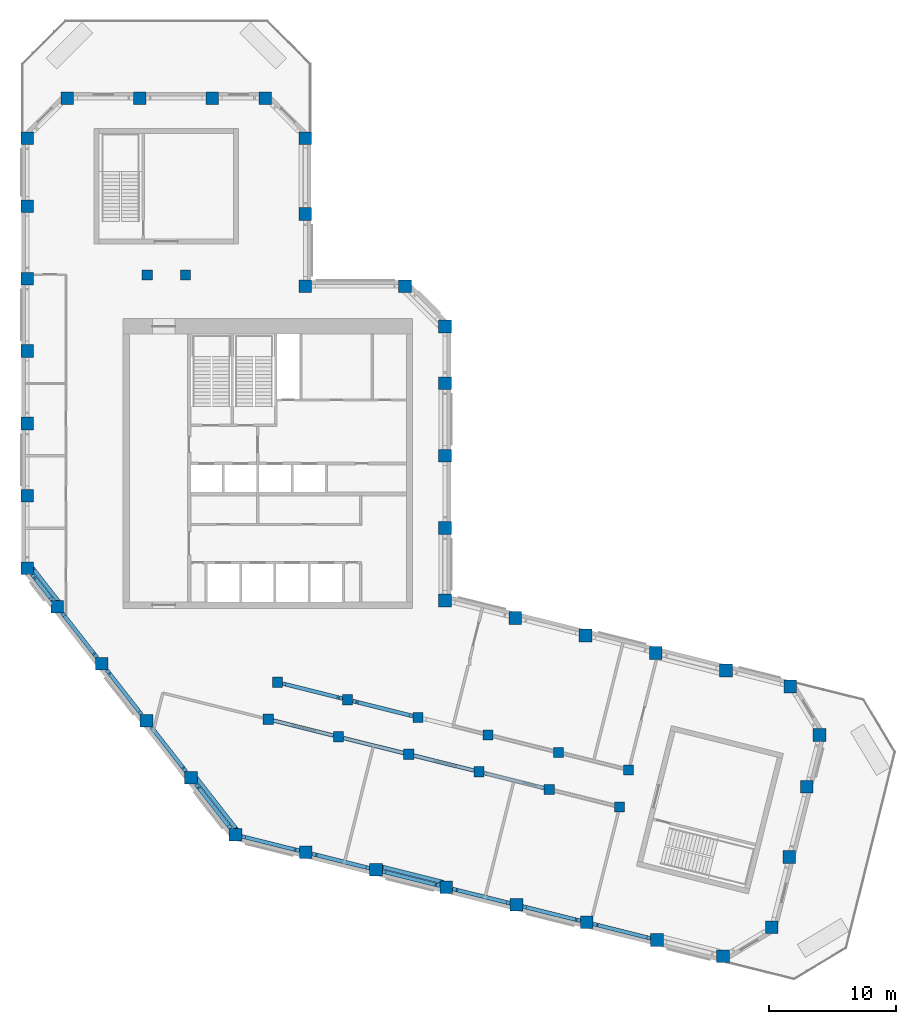
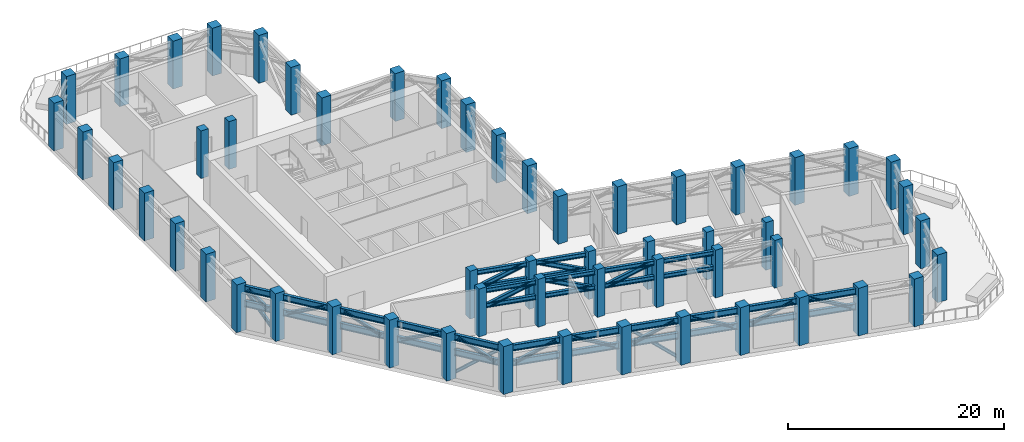
# One storey, part 1 of 8: 55 columns, 34 beams, 19 members.
"""IFC4 building model written with IfcOpenShell, lengths in metres."""

from ifc_helpers import new_model, si_unit, direction, frame, origin, origin_2d, place, context, subcontext, project, spatial, rectangle, i_section, extrude, material, material_profile, profile_set, type_object, element, save


model = new_model("IFC4")

# Units and contexts
model_context = context("Model", 3, precision=1e-05, world=origin(), true_north=direction((0.0, 1.0)))
body_context = subcontext(model_context, "Body", "Model", "MODEL_VIEW")
ifc_project = project(units=[si_unit("LENGTHUNIT", "METRE"), si_unit("AREAUNIT", "SQUARE_METRE"), si_unit("VOLUMEUNIT", "CUBIC_METRE"), si_unit("PLANEANGLEUNIT", "RADIAN"), si_unit("MASSUNIT", "GRAM", prefix="KILO")], contexts=[model_context])

# Site, building, storey
site_placement = place(None, origin())
site = spatial("IfcSite", under=ifc_project, at=site_placement, CompositionType="ELEMENT")
building_placement = place(site_placement, origin())
building = spatial("IfcBuilding", under=site, at=building_placement, Name="Meshkara Civic Tower", CompositionType="ELEMENT")
storey_placement = place(building_placement, frame((0.0, 0.0, 348.60009765625)))
storey = spatial("IfcBuildingStorey", under=building, at=storey_placement, Name="L80", CompositionType="ELEMENT", Elevation=348.60009765625)

# Columns
ifc_material_1 = material(Name="Concrete C60", Category="concrete")
ifc_material_profile_1 = material_profile(ifc_material_1, rectangle(XDim=0.800048828125, YDim=0.800048828125, at=origin_2d()))
ifc_profile_set_1 = profile_set([ifc_material_profile_1], Name="Concrete C60")
column_type_1 = type_object("IfcColumnType", Name="Interior column RC 800x800 C60", PredefinedType="COLUMN", material=ifc_profile_set_1)
for number, where, z_axis, x_axis, name in (
    (1, (9.89990234375, 40.35009765625, 0.0), (0.0, 0.0, 1.0), (1.0, 0.0, 0.0), "Column SA1-04 L80"),
    (2, (12.89990234375, 40.35009765625, 0.0), (0.0, 0.0, 1.0), (1.0, 0.0, 0.0), "Column SA2-04 L80"),
    (3, (19.424072265625, 5.360107421875, 0.0), (0.0, 0.0, 1.0), (1.0, 0.0, 0.0), "Column SB1-00 L80"),
    (4, (24.9541015625, 3.98095703125, 0.0), (0.0, 0.0, 1.0), (1.0, 0.0, 0.0), "Column SB1-01 L80"),
    (5, (30.485107421875, 2.60205078125, 0.0), (0.0, 0.0, 1.0), (1.0, 0.0, 0.0), "Column SB1-02 L80"),
    (6, (36.01611328125, 1.222900390625, 0.0), (0.0, 0.0, 1.0), (1.0, 0.0, 0.0), "Column SB1-03 L80"),
    (7, (41.5458984375, -0.156005859375, 0.0), (0.0, 0.0, 1.0), (1.0, 0.0, 0.0), "Column SB1-04 L80"),
    (8, (47.076904296875, -1.534912109375, 0.0), (0.0, 0.0, 1.0), (1.0, 0.0, 0.0), "Column SB1-05 L80"),
    (9, (20.14892578125, 8.27099609375, 0.0), (0.0, 0.0, 1.0), (1.0, 0.0, 0.0), "Column SB2-00 L80"),
    (10, (25.679931640625, 6.89208984375, 0.0), (0.0, 0.0, 1.0), (1.0, 0.0, 0.0), "Column SB2-01 L80"),
    (11, (31.2109375, 5.512939453125, 0.0), (0.0, 0.0, 1.0), (1.0, 0.0, 0.0), "Column SB2-02 L80"),
    (12, (36.741943359375, 4.134033203125, 0.0), (0.0, 0.0, 1.0), (1.0, 0.0, 0.0), "Column SB2-03 L80"),
    (13, (42.27197265625, 2.7548828125, 0.0), (0.0, 0.0, 1.0), (1.0, 0.0, 0.0), "Column SB2-04 L80"),
    (14, (47.802978515625, 1.3759765625, 0.0), (0.0, 0.0, 1.0), (1.0, 0.0, 0.0), "Column SB2-05 L80"),
):
    element("IfcColumn", number, at=place(storey_placement, frame(where, z_axis=z_axis, x_axis=x_axis)), inside=storey, type_object=column_type_1, Name=name, PredefinedType="COLUMN", context=body_context, shape_type="SweptSolid", body=[
        extrude(rectangle(XDim=0.800048828125, YDim=0.800048828125, at=origin_2d()), origin(), (0.0, 0.0, 1.0), 5.39990234375),
    ])
ifc_material_2 = material(Name="Concrete C60", Category="concrete")
ifc_material_profile_2 = material_profile(ifc_material_2, rectangle(XDim=1.0, YDim=1.0, at=origin_2d()))
ifc_profile_set_2 = profile_set([ifc_material_profile_2], Name="Concrete C60")
column_type_2 = type_object("IfcColumnType", Name="Perimeter column RC 1000x1000 C60", PredefinedType="COLUMN", material=ifc_profile_set_2)
for number, where, z_axis, x_axis, name in (
    (15, (33.35009765625, 14.718994140625, 0.0), (0.0, 0.0, 1.0), (1.0, 0.0, 0.0), "Column HE00 L80"),
    (16, (33.35009765625, 20.4189453125, 0.0), (0.0, 0.0, 1.0), (1.0, 0.0, 0.0), "Column HE01 L80"),
    (17, (33.35009765625, 26.118896484375, 0.0), (0.0, 0.0, 1.0), (1.0, 0.0, 0.0), "Column HE02 L80"),
    (18, (33.35009765625, 31.819091796875, 0.0), (0.0, 0.0, 1.0), (1.0, 0.0, 0.0), "Column HE03 L80"),
    (19, (33.35009765625, 36.2939453125, 0.0), (0.0, 0.0, 1.0), (1.0, 0.0, 0.0), "Column HEE L80"),
    (20, (30.194091796875, 39.449951171875, 0.0), (0.0, 0.0, 1.0), (1.0, 0.0, 0.0), "Column HCeE L80"),
    (21, (22.35009765625, 39.449951171875, 0.0), (0.0, 0.0, 1.0), (1.0, 0.0, 0.0), "Column HN00 L80"),
    (22, (22.35009765625, 45.14990234375, 0.0), (0.0, 0.0, 1.0), (1.0, 0.0, 0.0), "Column AE01 L80"),
    (23, (22.35009765625, 51.114013671875, 0.0), (0.0, 0.0, 1.0), (1.0, 0.0, 0.0), "Column AEEP5 L80"),
    (24, (19.194091796875, 54.27001953125, 0.0), (0.0, 0.0, 1.0), (1.0, 0.0, 0.0), "Column ATiEP5 L80"),
    (25, (3.60595703125, 54.27001953125, 0.0), (0.0, 0.0, 1.0), (1.0, 0.0, 0.0), "Column AT00-P5 L80"),
    (26, (9.305908203125, 54.27001953125, 0.0), (0.0, 0.0, 1.0), (1.0, 0.0, 0.0), "Column AT01-P5 L80"),
    (27, (15.006103515625, 54.27001953125, 0.0), (0.0, 0.0, 1.0), (1.0, 0.0, 0.0), "Column AT02-P5 L80"),
    (28, (0.449951171875, 51.114013671875, 0.0), (0.0, 0.0, 1.0), (1.0, 0.0, 0.0), "Column ATo00-P5 L80"),
    (29, (0.449951171875, 17.2548828125, 0.0), (0.0, 0.0, 1.0), (1.0, 0.0, 0.0), "Column AW00 L80"),
    (30, (0.449951171875, 22.955078125, 0.0), (0.0, 0.0, 1.0), (1.0, 0.0, 0.0), "Column AW01 L80"),
    (31, (0.449951171875, 28.655029296875, 0.0), (0.0, 0.0, 1.0), (1.0, 0.0, 0.0), "Column AW02 L80"),
    (32, (0.449951171875, 34.35498046875, 0.0), (0.0, 0.0, 1.0), (1.0, 0.0, 0.0), "Column AW03 L80"),
    (33, (0.449951171875, 40.054931640625, 0.0), (0.0, 0.0, 1.0), (1.0, 0.0, 0.0), "Column AW04 L80"),
    (34, (0.449951171875, 45.7548828125, 0.0), (0.0, 0.0, 1.0), (1.0, 0.0, 0.0), "Column AW05 L80"),
    (35, (16.85107421875, -3.738037109375, 0.0), (0.0, 0.0, 1.0), (1.0, 0.0, 0.0), "Column BOW00 L80"),
    (36, (13.342041015625, 0.75390625, 0.0), (0.0, 0.0, 1.0), (1.0, 0.0, 0.0), "Column BOW01 L80"),
    (37, (9.8330078125, 5.2451171875, 0.0), (0.0, 0.0, 1.0), (1.0, 0.0, 0.0), "Column BOW02 L80"),
    (38, (6.322998046875, 9.737060546875, 0.0), (0.0, 0.0, 1.0), (1.0, 0.0, 0.0), "Column BOW03 L80"),
    (39, (2.81396484375, 14.22900390625, 0.0), (0.0, 0.0, 1.0), (1.0, 0.0, 0.0), "Column BOW04 L80"),
    (40, (22.382080078125, -5.116943359375, 0.0), (0.0, 0.0, 1.0), (1.0, 0.0, 0.0), "Column BS01 L80"),
    (41, (27.912109375, -6.49609375, 0.0), (0.0, 0.0, 1.0), (1.0, 0.0, 0.0), "Column BS02 L80"),
    (42, (33.443115234375, -7.875, 0.0), (0.0, 0.0, 1.0), (1.0, 0.0, 0.0), "Column BS03 L80"),
    (43, (38.97412109375, -9.25390625, 0.0), (0.0, 0.0, 1.0), (1.0, 0.0, 0.0), "Column BS04 L80"),
    (44, (44.50390625, -10.633056640625, 0.0), (0.0, 0.0, 1.0), (1.0, 0.0, 0.0), "Column BS05-P4 L80"),
    (45, (50.034912109375, -12.011962890625, 0.0), (0.0, 0.0, 1.0), (1.0, 0.0, 0.0), "Column BS06-P4 L80"),
    (46, (55.235107421875, -13.30810546875, 0.0), (0.0, 0.0, 1.0), (1.0, 0.0, 0.0), "Column BSEP5 L80"),
    (47, (59.06103515625, -11.009033203125, 0.0), (0.0, 0.0, 1.0), (1.0, 0.0, 0.0), "Column BToEP5 L80"),
    (48, (60.43994140625, -5.47802734375, 0.0), (0.0, 0.0, 1.0), (1.0, 0.0, 0.0), "Column BT01-P5 L80"),
    (49, (61.819091796875, 0.052001953125, 0.0), (0.0, 0.0, 1.0), (1.0, 0.0, 0.0), "Column BT02-P5 L80"),
    (50, (62.83203125, 4.114990234375, 0.0), (0.0, 0.0, 1.0), (1.0, 0.0, 0.0), "Column BTEP5 L80"),
    (51, (60.532958984375, 7.94091796875, 0.0), (0.0, 0.0, 1.0), (1.0, 0.0, 0.0), "Column BTi00-P5 L80"),
    (52, (38.881103515625, 13.340087890625, 0.0), (0.0, 0.0, 1.0), (1.0, 0.0, 0.0), "Column BN01 L80"),
    (53, (44.410888671875, 11.9609375, 0.0), (0.0, 0.0, 1.0), (1.0, 0.0, 0.0), "Column BN02 L80"),
    (54, (49.94189453125, 10.58203125, 0.0), (0.0, 0.0, 1.0), (1.0, 0.0, 0.0), "Column BN03 L80"),
    (55, (55.472900390625, 9.202880859375, 0.0), (0.0, 0.0, 1.0), (1.0, 0.0, 0.0), "Column BN04 L80"),
):
    element("IfcColumn", number, at=place(storey_placement, frame(where, z_axis=z_axis, x_axis=x_axis)), inside=storey, type_object=column_type_2, Name=name, PredefinedType="COLUMN", context=body_context, shape_type="SweptSolid", body=[
        extrude(rectangle(XDim=1.0, YDim=1.0, at=origin_2d()), origin(), (0.0, 0.0, 1.0), 5.39990234375),
    ])

# Beams
ifc_material_3 = material(Name="Steel S355", Category="steel")
ifc_material_profile_3 = material_profile(ifc_material_3, i_section(OverallWidth=0.300048828125, OverallDepth=0.699951171875, WebThickness=0.01708984375, FlangeThickness=0.031982421875, FilletRadius=0.027099609375, at=origin_2d()))
ifc_profile_set_3 = profile_set([ifc_material_profile_3], Name="Steel S355")
beam_type_1 = type_object("IfcBeamType", Name="Belt truss chord HEB 700 S355", PredefinedType="BEAM", material=ifc_profile_set_3)
for number, where, z_axis, x_axis, name in (
    (56, (0.83740234375, 16.7587890625, 4.75), (0.615713794912, -0.787969874269, 0.0), (0.787969874269, 0.615713794912, 0.0), "Belt truss chord BAW00-BOW04"),
    (57, (0.83740234375, 16.7587890625, 3.0498046875), (0.615713794912, -0.787969874269, 0.0), (0.787969874269, 0.615713794912, 0.0), "Belt truss chord BAW00-BOW04"),
):
    element("IfcBeam", number, at=place(storey_placement, frame(where, z_axis=z_axis, x_axis=x_axis)), inside=storey, type_object=beam_type_1, Name=name, PredefinedType="BEAM", context=body_context, shape_type="SweptSolid", body=[
        extrude(i_section(OverallWidth=0.300048828125, OverallDepth=0.699951171875, WebThickness=0.01708984375, FlangeThickness=0.031982421875, FilletRadius=0.027099609375, at=origin_2d()), origin(), (0.0, 0.0, 1.0), 2.580810546875),
    ])
for number, where, z_axis, x_axis, name in (
    (58, (3.201416015625, 13.73291015625, 4.75), (0.615636574491, -0.788030207637, 0.0), (0.788030207637, 0.615636574491, 0.0), "Belt truss chord BBOW04-BOW03"),
    (59, (3.201416015625, 13.73291015625, 3.0498046875), (0.615636574491, -0.788030207637, 0.0), (0.788030207637, 0.615636574491, 0.0), "Belt truss chord BBOW04-BOW03"),
):
    element("IfcBeam", number, at=place(storey_placement, frame(where, z_axis=z_axis, x_axis=x_axis)), inside=storey, type_object=beam_type_1, Name=name, PredefinedType="BEAM", context=body_context, shape_type="SweptSolid", body=[
        extrude(i_section(OverallWidth=0.300048828125, OverallDepth=0.699951171875, WebThickness=0.01708984375, FlangeThickness=0.031982421875, FilletRadius=0.027099609375, at=origin_2d()), origin(), (0.0, 0.0, 1.0), 4.441162109375),
    ])
for number, where, z_axis, x_axis, name in (
    (60, (6.710693359375, 9.240966796875, 4.75), (0.615704842432, -0.787976869588, 0.0), (0.787976869588, 0.615704842432, 0.0), "Belt truss chord BBOW03-BOW02"),
    (61, (6.710693359375, 9.240966796875, 3.0498046875), (0.615704842432, -0.787976869588, 0.0), (0.787976869588, 0.615704842432, 0.0), "Belt truss chord BBOW03-BOW02"),
):
    element("IfcBeam", number, at=place(storey_placement, frame(where, z_axis=z_axis, x_axis=x_axis)), inside=storey, type_object=beam_type_1, Name=name, PredefinedType="BEAM", context=body_context, shape_type="SweptSolid", body=[
        extrude(i_section(OverallWidth=0.300048828125, OverallDepth=0.699951171875, WebThickness=0.01708984375, FlangeThickness=0.031982421875, FilletRadius=0.027099609375, at=origin_2d()), origin(), (0.0, 0.0, 1.0), 4.44140625),
    ])
for number, where, z_axis, x_axis, name in (
    (62, (10.220703125, 4.748779296875, 4.75), (0.615674985547, -0.788000198078, 0.0), (0.788000198078, 0.615674985547, 0.0), "Belt truss chord BBOW02-BOW01"),
    (63, (10.220703125, 4.748779296875, 3.0498046875), (0.615674985547, -0.788000198078, 0.0), (0.788000198078, 0.615674985547, 0.0), "Belt truss chord BBOW02-BOW01"),
):
    element("IfcBeam", number, at=place(storey_placement, frame(where, z_axis=z_axis, x_axis=x_axis)), inside=storey, type_object=beam_type_1, Name=name, PredefinedType="BEAM", context=body_context, shape_type="SweptSolid", body=[
        extrude(i_section(OverallWidth=0.300048828125, OverallDepth=0.699951171875, WebThickness=0.01708984375, FlangeThickness=0.031982421875, FilletRadius=0.027099609375, at=origin_2d()), origin(), (0.0, 0.0, 1.0), 4.440185546875),
    ])
for number, where, z_axis, x_axis, name in (
    (64, (13.7294921875, 0.2578125, 4.75), (0.615602435322, -0.788056877151, 0.0), (0.788056877151, 0.615602435322, 0.0), "Belt truss chord BBOW01-BOW00"),
    (65, (13.7294921875, 0.2578125, 3.0498046875), (0.615602435322, -0.788056877151, 0.0), (0.788056877151, 0.615602435322, 0.0), "Belt truss chord BBOW01-BOW00"),
):
    element("IfcBeam", number, at=place(storey_placement, frame(where, z_axis=z_axis, x_axis=x_axis)), inside=storey, type_object=beam_type_1, Name=name, PredefinedType="BEAM", context=body_context, shape_type="SweptSolid", body=[
        extrude(i_section(OverallWidth=0.300048828125, OverallDepth=0.699951171875, WebThickness=0.01708984375, FlangeThickness=0.031982421875, FilletRadius=0.027099609375, at=origin_2d()), origin(), (0.0, 0.0, 1.0), 4.44091796875),
    ])
for number, where, z_axis, x_axis, name in (
    (66, (17.34619140625, -3.861572265625, 4.75), (0.970311050729, -0.24186042428, 0.0), (0.24186042428, 0.970311050729, 0.0), "Belt truss chord BBOW00-BS01"),
    (67, (17.34619140625, -3.861572265625, 3.0498046875), (0.970311050729, -0.24186042428, 0.0), (0.24186042428, 0.970311050729, 0.0), "Belt truss chord BBOW00-BS01"),
):
    element("IfcBeam", number, at=place(storey_placement, frame(where, z_axis=z_axis, x_axis=x_axis)), inside=storey, type_object=beam_type_1, Name=name, PredefinedType="BEAM", context=body_context, shape_type="SweptSolid", body=[
        extrude(i_section(OverallWidth=0.300048828125, OverallDepth=0.699951171875, WebThickness=0.01708984375, FlangeThickness=0.031982421875, FilletRadius=0.027099609375, at=origin_2d()), origin(), (0.0, 0.0, 1.0), 4.6796875),
    ])
for number, where, z_axis, x_axis, name in (
    (68, (22.877197265625, -5.240478515625, 4.75), (0.970286590806, -0.241958533023, 0.0), (0.241958533023, 0.970286590806, 0.0), "Belt truss chord BBS01-BS02"),
    (69, (22.877197265625, -5.240478515625, 3.0498046875), (0.970286590806, -0.241958533023, 0.0), (0.241958533023, 0.970286590806, 0.0), "Belt truss chord BBS01-BS02"),
):
    element("IfcBeam", number, at=place(storey_placement, frame(where, z_axis=z_axis, x_axis=x_axis)), inside=storey, type_object=beam_type_1, Name=name, PredefinedType="BEAM", context=body_context, shape_type="SweptSolid", body=[
        extrude(i_section(OverallWidth=0.300048828125, OverallDepth=0.699951171875, WebThickness=0.01708984375, FlangeThickness=0.031982421875, FilletRadius=0.027099609375, at=origin_2d()), origin(), (0.0, 0.0, 1.0), 4.6787109375),
    ])
for number, where, z_axis, x_axis, name in (
    (70, (28.406982421875, -6.619384765625, 4.75), (0.970301859111, -0.241897296812, 0.0), (0.241897296812, 0.970301859111, 0.0), "Belt truss chord BBS02-BS03"),
    (71, (28.406982421875, -6.619384765625, 3.0498046875), (0.970301859111, -0.241897296812, 0.0), (0.241897296812, 0.970301859111, 0.0), "Belt truss chord BBS02-BS03"),
    (72, (33.93798828125, -7.99853515625, 4.75), (0.970301859111, -0.241897296812, 0.0), (0.241897296812, 0.970301859111, 0.0), "Belt truss chord BBS03-BS04"),
    (73, (33.93798828125, -7.99853515625, 3.0498046875), (0.970301859111, -0.241897296812, 0.0), (0.241897296812, 0.970301859111, 0.0), "Belt truss chord BBS03-BS04"),
):
    element("IfcBeam", number, at=place(storey_placement, frame(where, z_axis=z_axis, x_axis=x_axis)), inside=storey, type_object=beam_type_1, Name=name, PredefinedType="BEAM", context=body_context, shape_type="SweptSolid", body=[
        extrude(i_section(OverallWidth=0.300048828125, OverallDepth=0.699951171875, WebThickness=0.01708984375, FlangeThickness=0.031982421875, FilletRadius=0.027099609375, at=origin_2d()), origin(), (0.0, 0.0, 1.0), 4.679931640625),
    ])
for number, where, z_axis, x_axis, name in (
    (74, (39.468994140625, -9.37744140625, 4.75), (0.970286590806, -0.241958533023, 0.0), (0.241958533023, 0.970286590806, 0.0), "Belt truss chord BBS04-BS05-P4"),
    (75, (39.468994140625, -9.37744140625, 3.0498046875), (0.970286590806, -0.241958533023, 0.0), (0.241958533023, 0.970286590806, 0.0), "Belt truss chord BBS04-BS05-P4"),
):
    element("IfcBeam", number, at=place(storey_placement, frame(where, z_axis=z_axis, x_axis=x_axis)), inside=storey, type_object=beam_type_1, Name=name, PredefinedType="BEAM", context=body_context, shape_type="SweptSolid", body=[
        extrude(i_section(OverallWidth=0.300048828125, OverallDepth=0.699951171875, WebThickness=0.01708984375, FlangeThickness=0.031982421875, FilletRadius=0.027099609375, at=origin_2d()), origin(), (0.0, 0.0, 1.0), 4.6787109375),
    ])
for number, where, z_axis, x_axis, name in (
    (76, (44.9990234375, -10.756591796875, 4.75), (0.970311050729, -0.24186042428, 0.0), (0.24186042428, 0.970311050729, 0.0), "Belt truss chord BBS05-P4-BS06-P4"),
    (77, (44.9990234375, -10.756591796875, 3.0498046875), (0.970311050729, -0.24186042428, 0.0), (0.24186042428, 0.970311050729, 0.0), "Belt truss chord BBS05-P4-BS06-P4"),
):
    element("IfcBeam", number, at=place(storey_placement, frame(where, z_axis=z_axis, x_axis=x_axis)), inside=storey, type_object=beam_type_1, Name=name, PredefinedType="BEAM", context=body_context, shape_type="SweptSolid", body=[
        extrude(i_section(OverallWidth=0.300048828125, OverallDepth=0.699951171875, WebThickness=0.01708984375, FlangeThickness=0.031982421875, FilletRadius=0.027099609375, at=origin_2d()), origin(), (0.0, 0.0, 1.0), 4.6796875),
    ])
ifc_material_4 = material(Name="Steel S355", Category="steel")
ifc_material_profile_4 = material_profile(ifc_material_4, i_section(OverallWidth=0.300048828125, OverallDepth=0.5, WebThickness=0.014404296875, FlangeThickness=0.028076171875, FilletRadius=0.027099609375, at=origin_2d()))
ifc_profile_set_4 = profile_set([ifc_material_profile_4], Name="Steel S355")
beam_type_2 = type_object("IfcBeamType", Name="Outrigger chord HEB 500 S355", PredefinedType="BEAM", material=ifc_profile_set_4)
for number, where, z_axis, x_axis, name in (
    (78, (19.819091796875, 5.261474609375, 4.849853515625), (0.970289318567, -0.241947594065, 0.0), (0.241947594065, 0.970289318567, 0.0), "Outrigger chord OSB1-SB1-00-SB1-01"),
    (79, (19.819091796875, 5.261474609375, 3.14990234375), (0.970289318567, -0.241947594065, 0.0), (0.241947594065, 0.970289318567, 0.0), "Outrigger chord OSB1-SB1-00-SB1-01"),
):
    element("IfcBeam", number, at=place(storey_placement, frame(where, z_axis=z_axis, x_axis=x_axis)), inside=storey, type_object=beam_type_2, Name=name, PredefinedType="BEAM", context=body_context, shape_type="SweptSolid", body=[
        extrude(i_section(OverallWidth=0.300048828125, OverallDepth=0.5, WebThickness=0.014404296875, FlangeThickness=0.028076171875, FilletRadius=0.027099609375, at=origin_2d()), origin(), (0.0, 0.0, 1.0), 4.884765625),
    ])
for number, where, z_axis, x_axis, name in (
    (80, (25.34912109375, 3.882568359375, 4.849853515625), (0.970289288356, -0.241947715224, 0.0), (0.241947715224, 0.970289288356, 0.0), "Outrigger chord OSB1-SB1-01-SB1-02"),
    (81, (25.34912109375, 3.882568359375, 3.14990234375), (0.970289288356, -0.241947715224, 0.0), (0.241947715224, 0.970289288356, 0.0), "Outrigger chord OSB1-SB1-01-SB1-02"),
):
    element("IfcBeam", number, at=place(storey_placement, frame(where, z_axis=z_axis, x_axis=x_axis)), inside=storey, type_object=beam_type_2, Name=name, PredefinedType="BEAM", context=body_context, shape_type="SweptSolid", body=[
        extrude(i_section(OverallWidth=0.300048828125, OverallDepth=0.5, WebThickness=0.014404296875, FlangeThickness=0.028076171875, FilletRadius=0.027099609375, at=origin_2d()), origin(), (0.0, 0.0, 1.0), 4.885986328125),
    ])
for number, where, z_axis, x_axis, name in (
    (82, (30.880126953125, 2.50341796875, 4.849853515625), (0.970301017938, -0.241900670915, 0.0), (0.241900670915, 0.970301017938, 0.0), "Outrigger chord OSB1-SB1-02-SB1-03"),
    (83, (30.880126953125, 2.50341796875, 3.14990234375), (0.970301017938, -0.241900670915, 0.0), (0.241900670915, 0.970301017938, 0.0), "Outrigger chord OSB1-SB1-02-SB1-03"),
):
    element("IfcBeam", number, at=place(storey_placement, frame(where, z_axis=z_axis, x_axis=x_axis)), inside=storey, type_object=beam_type_2, Name=name, PredefinedType="BEAM", context=body_context, shape_type="SweptSolid", body=[
        extrude(i_section(OverallWidth=0.300048828125, OverallDepth=0.5, WebThickness=0.014404296875, FlangeThickness=0.028076171875, FilletRadius=0.027099609375, at=origin_2d()), origin(), (0.0, 0.0, 1.0), 4.8857421875),
    ])
for number, where, z_axis, x_axis, name in (
    (84, (36.4111328125, 1.12451171875, 4.849853515625), (0.970277584576, -0.241994646364, 0.0), (0.241994646364, 0.970277584576, 0.0), "Outrigger chord OSB1-SB1-03-SB1-04"),
    (85, (36.4111328125, 1.12451171875, 3.14990234375), (0.970277584576, -0.241994646364, 0.0), (0.241994646364, 0.970277584576, 0.0), "Outrigger chord OSB1-SB1-03-SB1-04"),
):
    element("IfcBeam", number, at=place(storey_placement, frame(where, z_axis=z_axis, x_axis=x_axis)), inside=storey, type_object=beam_type_2, Name=name, PredefinedType="BEAM", context=body_context, shape_type="SweptSolid", body=[
        extrude(i_section(OverallWidth=0.300048828125, OverallDepth=0.5, WebThickness=0.014404296875, FlangeThickness=0.028076171875, FilletRadius=0.027099609375, at=origin_2d()), origin(), (0.0, 0.0, 1.0), 4.885009765625),
    ])
for number, where, z_axis, x_axis, name in (
    (86, (20.544189453125, 8.172607421875, 4.849853515625), (0.970289288356, -0.241947715224, 0.0), (0.241947715224, 0.970289288356, 0.0), "Outrigger chord OSB2-SB2-00-SB2-01"),
    (87, (20.544189453125, 8.172607421875, 3.14990234375), (0.970289288356, -0.241947715224, 0.0), (0.241947715224, 0.970289288356, 0.0), "Outrigger chord OSB2-SB2-00-SB2-01"),
):
    element("IfcBeam", number, at=place(storey_placement, frame(where, z_axis=z_axis, x_axis=x_axis)), inside=storey, type_object=beam_type_2, Name=name, PredefinedType="BEAM", context=body_context, shape_type="SweptSolid", body=[
        extrude(i_section(OverallWidth=0.300048828125, OverallDepth=0.5, WebThickness=0.014404296875, FlangeThickness=0.028076171875, FilletRadius=0.027099609375, at=origin_2d()), origin(), (0.0, 0.0, 1.0), 4.885986328125),
    ])
for number, where, z_axis, x_axis, name in (
    (88, (26.0751953125, 6.79345703125, 4.849853515625), (0.970301017938, -0.241900670915, 0.0), (0.241900670915, 0.970301017938, 0.0), "Outrigger chord OSB2-SB2-01-SB2-02"),
    (89, (26.0751953125, 6.79345703125, 3.14990234375), (0.970301017938, -0.241900670915, 0.0), (0.241900670915, 0.970301017938, 0.0), "Outrigger chord OSB2-SB2-01-SB2-02"),
):
    element("IfcBeam", number, at=place(storey_placement, frame(where, z_axis=z_axis, x_axis=x_axis)), inside=storey, type_object=beam_type_2, Name=name, PredefinedType="BEAM", context=body_context, shape_type="SweptSolid", body=[
        extrude(i_section(OverallWidth=0.300048828125, OverallDepth=0.5, WebThickness=0.014404296875, FlangeThickness=0.028076171875, FilletRadius=0.027099609375, at=origin_2d()), origin(), (0.0, 0.0, 1.0), 4.8857421875),
    ])

# Members
ifc_material_5 = material(Name="Steel S355", Category="steel")
ifc_material_profile_5 = material_profile(ifc_material_5, i_section(OverallWidth=0.300048828125, OverallDepth=0.489990234375, WebThickness=0.011962890625, FlangeThickness=0.02294921875, FilletRadius=0.027099609375, at=origin_2d()))
ifc_profile_set_5 = profile_set([ifc_material_profile_5], Name="Steel S355")
member_type_1 = type_object("IfcMemberType", Name="Truss diagonal HEA 500 S355", PredefinedType="BRACE", material=ifc_profile_set_5)
member_1_placement = place(storey_placement, frame((20.15869140625, 5.1767578125, 3.14990234375), z_axis=(0.898955583582, -0.224144348552, 0.376348468523), x_axis=(0.241931598384, 0.970293307049, 0.0)))
element("IfcMember", 90, at=member_1_placement, inside=storey, type_object=member_type_1, Name="TD-OSB1-SB1-00-SB1-01-L80", PredefinedType="BRACE", context=body_context, shape_type="SweptSolid", body=[
    extrude(i_section(OverallWidth=0.300048828125, OverallDepth=0.489990234375, WebThickness=0.011962890625, FlangeThickness=0.02294921875, FilletRadius=0.027099609375, at=origin_2d()), origin(), (0.0, 0.0, 1.0), 4.516845703125),
])
for number, where, z_axis, x_axis, name in (
    (91, (25.688720703125, 3.7978515625, 4.849853515625), (0.89898616733, -0.224152117221, -0.376270779221), (0.241931743652, 0.970293270828, 0.0), "TD-OSB1-SB1-01-SB1-02-L80"),
    (92, (31.2197265625, 2.418701171875, 3.14990234375), (0.898997055515, -0.224100792812, 0.376275336472), (0.241876831389, 0.970306960934, 0.0), "TD-OSB1-SB1-02-SB1-03-L80"),
    (93, (20.8837890625, 8.087890625, 3.14990234375), (0.89898616733, -0.224152117221, 0.376270779221), (0.241931743652, 0.970293270828, 0.0), "TD-OSB2-SB2-00-SB2-01-L80"),
    (94, (26.414794921875, 6.708740234375, 4.849853515625), (0.898997055515, -0.224100792812, -0.376275336472), (0.241876831389, 0.970306960934, 0.0), "TD-OSB2-SB2-01-SB2-02-L80"),
):
    element("IfcMember", number, at=place(storey_placement, frame(where, z_axis=z_axis, x_axis=x_axis)), inside=storey, type_object=member_type_1, Name=name, PredefinedType="BRACE", context=body_context, shape_type="SweptSolid", body=[
        extrude(i_section(OverallWidth=0.300048828125, OverallDepth=0.489990234375, WebThickness=0.011962890625, FlangeThickness=0.02294921875, FilletRadius=0.027099609375, at=origin_2d()), origin(), (0.0, 0.0, 1.0), 4.517822265625),
    ])
ifc_material_6 = material(Name="Steel S355", Category="steel")
ifc_material_profile_6 = material_profile(ifc_material_6, i_section(OverallWidth=0.300048828125, OverallDepth=0.300048828125, WebThickness=0.010986328125, FlangeThickness=0.01904296875, FilletRadius=0.027099609375, at=origin_2d()))
ifc_profile_set_6 = profile_set([ifc_material_profile_6], Name="Steel S355")
member_type_2 = type_object("IfcMemberType", Name="Truss diagonal HEB 300 S355", PredefinedType="BRACE", material=ifc_profile_set_6)
member_2_placement = place(storey_placement, frame((1.052978515625, 16.483154296875, 4.75), z_axis=(0.45671184227, -0.584587306435, -0.670575852745), x_axis=(0.788022405845, 0.61564656085, 0.0)))
element("IfcMember", 95, at=member_2_placement, inside=storey, type_object=member_type_2, Name="TD-BAW00-BOW04-L80", PredefinedType="BRACE", context=body_context, shape_type="SweptSolid", body=[
    extrude(i_section(OverallWidth=0.300048828125, OverallDepth=0.300048828125, WebThickness=0.010986328125, FlangeThickness=0.01904296875, FilletRadius=0.027099609375, at=origin_2d()), origin(), (0.0, 0.0, 1.0), 2.535400390625),
])
member_3_placement = place(storey_placement, frame((3.4169921875, 13.45703125, 3.0498046875), z_axis=(0.560428206523, -0.717452668501, 0.41374133682), x_axis=(0.78806790415, 0.615588318967, 0.0)))
element("IfcMember", 96, at=member_3_placement, inside=storey, type_object=member_type_2, Name="TD-BBOW04-BOW03-L80", PredefinedType="BRACE", context=body_context, shape_type="SweptSolid", body=[
    extrude(i_section(OverallWidth=0.300048828125, OverallDepth=0.300048828125, WebThickness=0.010986328125, FlangeThickness=0.01904296875, FilletRadius=0.027099609375, at=origin_2d()), origin(), (0.0, 0.0, 1.0), 4.109375),
])
member_4_placement = place(storey_placement, frame((6.926025390625, 8.965087890625, 4.75), z_axis=(0.560591180021, -0.717357114543, -0.413686232666), x_axis=(0.787941272601, 0.615750396616, 0.0)))
element("IfcMember", 97, at=member_4_placement, inside=storey, type_object=member_type_2, Name="TD-BBOW03-BOW02-L80", PredefinedType="BRACE", context=body_context, shape_type="SweptSolid", body=[
    extrude(i_section(OverallWidth=0.300048828125, OverallDepth=0.300048828125, WebThickness=0.010986328125, FlangeThickness=0.01904296875, FilletRadius=0.027099609375, at=origin_2d()), origin(), (0.0, 0.0, 1.0), 4.10986328125),
])
member_5_placement = place(storey_placement, frame((10.43603515625, 4.47314453125, 3.0498046875), z_axis=(0.560523767927, -0.717337318606, 0.413811885915), x_axis=(0.787968954266, 0.615714972299, 0.0)))
element("IfcMember", 98, at=member_5_placement, inside=storey, type_object=member_type_2, Name="TD-BBOW02-BOW01-L80", PredefinedType="BRACE", context=body_context, shape_type="SweptSolid", body=[
    extrude(i_section(OverallWidth=0.300048828125, OverallDepth=0.300048828125, WebThickness=0.010986328125, FlangeThickness=0.01904296875, FilletRadius=0.027099609375, at=origin_2d()), origin(), (0.0, 0.0, 1.0), 4.108642578125),
])
member_6_placement = place(storey_placement, frame((13.945068359375, -0.017822265625, 4.75), z_axis=(0.560428206523, -0.717452668501, -0.41374133682), x_axis=(0.78806790415, 0.615588318967, 0.0)))
element("IfcMember", 99, at=member_6_placement, inside=storey, type_object=member_type_2, Name="TD-BBOW01-BOW00-L80", PredefinedType="BRACE", context=body_context, shape_type="SweptSolid", body=[
    extrude(i_section(OverallWidth=0.300048828125, OverallDepth=0.300048828125, WebThickness=0.010986328125, FlangeThickness=0.01904296875, FilletRadius=0.027099609375, at=origin_2d()), origin(), (0.0, 0.0, 1.0), 4.109375),
])
member_7_placement = place(storey_placement, frame((17.685791015625, -3.946044921875, 3.0498046875), z_axis=(0.892266831524, -0.222502553334, 0.392877226526), x_axis=(0.241958185146, 0.970286677555, 0.0)))
element("IfcMember", 100, at=member_7_placement, inside=storey, type_object=member_type_2, Name="TD-BBOW00-BS01-L80", PredefinedType="BRACE", context=body_context, shape_type="SweptSolid", body=[
    extrude(i_section(OverallWidth=0.300048828125, OverallDepth=0.300048828125, WebThickness=0.010986328125, FlangeThickness=0.01904296875, FilletRadius=0.027099609375, at=origin_2d()), origin(), (0.0, 0.0, 1.0), 4.32763671875),
])
member_8_placement = place(storey_placement, frame((23.216796875, -5.3251953125, 4.75), z_axis=(0.892243523154, -0.222482527781, -0.392941497201), x_axis=(0.241943633537, 0.970290306141, 0.0)))
element("IfcMember", 101, at=member_8_placement, inside=storey, type_object=member_type_2, Name="TD-BBS01-BS02-L80", PredefinedType="BRACE", context=body_context, shape_type="SweptSolid", body=[
    extrude(i_section(OverallWidth=0.300048828125, OverallDepth=0.300048828125, WebThickness=0.010986328125, FlangeThickness=0.01904296875, FilletRadius=0.027099609375, at=origin_2d()), origin(), (0.0, 0.0, 1.0), 4.326904296875),
])
for number, where, z_axis, x_axis, name in (
    (102, (28.746826171875, -6.7041015625, 3.0498046875), (0.892266831524, -0.222502553334, 0.392877226526), (0.241958185146, 0.970286677555, 0.0), "TD-BBS02-BS03-L80"),
    (103, (34.27783203125, -8.0830078125, 4.75), (0.892266831524, -0.222502553334, -0.392877226526), (0.241958185146, 0.970286677555, 0.0), "TD-BBS03-BS04-L80"),
):
    element("IfcMember", number, at=place(storey_placement, frame(where, z_axis=z_axis, x_axis=x_axis)), inside=storey, type_object=member_type_2, Name=name, PredefinedType="BRACE", context=body_context, shape_type="SweptSolid", body=[
        extrude(i_section(OverallWidth=0.300048828125, OverallDepth=0.300048828125, WebThickness=0.010986328125, FlangeThickness=0.01904296875, FilletRadius=0.027099609375, at=origin_2d()), origin(), (0.0, 0.0, 1.0), 4.32763671875),
    ])
member_9_placement = place(storey_placement, frame((39.80859375, -9.462158203125, 3.0498046875), z_axis=(0.892243523154, -0.222482527781, 0.392941497201), x_axis=(0.241943633537, 0.970290306141, 0.0)))
element("IfcMember", 104, at=member_9_placement, inside=storey, type_object=member_type_2, Name="TD-BBS04-BS05-P4-L80", PredefinedType="BRACE", context=body_context, shape_type="SweptSolid", body=[
    extrude(i_section(OverallWidth=0.300048828125, OverallDepth=0.300048828125, WebThickness=0.010986328125, FlangeThickness=0.01904296875, FilletRadius=0.027099609375, at=origin_2d()), origin(), (0.0, 0.0, 1.0), 4.326904296875),
])
member_10_placement = place(storey_placement, frame((45.3388671875, -10.841064453125, 4.75), z_axis=(0.892266831524, -0.222502553334, -0.392877226526), x_axis=(0.241958185146, 0.970286677555, 0.0)))
element("IfcMember", 105, at=member_10_placement, inside=storey, type_object=member_type_2, Name="TD-BBS05-P4-BS06-P4-L80", PredefinedType="BRACE", context=body_context, shape_type="SweptSolid", body=[
    extrude(i_section(OverallWidth=0.300048828125, OverallDepth=0.300048828125, WebThickness=0.010986328125, FlangeThickness=0.01904296875, FilletRadius=0.027099609375, at=origin_2d()), origin(), (0.0, 0.0, 1.0), 4.32763671875),
])
member_11_placement = place(storey_placement, frame((0.905517578125, 17.224365234375, 4.64990234375), z_axis=(0.369034961957, -0.47246108847, -0.80037098694), x_axis=(0.788085275912, 0.615566079223, 0.0)))
element("IfcMember", 106, at=member_11_placement, inside=storey, type_object=member_type_2, Name="TD-XAW00-BOW04-L80", PredefinedType="BRACE", context=body_context, shape_type="SweptSolid", body=[
    extrude(i_section(OverallWidth=0.300048828125, OverallDepth=0.300048828125, WebThickness=0.010986328125, FlangeThickness=0.01904296875, FilletRadius=0.027099609375, at=origin_2d()), origin(), (0.0, 0.0, 1.0), 5.37255859375),
])
member_12_placement = place(storey_placement, frame((13.79736328125, 0.723388671875, 0.349853515625), z_axis=(0.469903157428, -0.601572868258, 0.645988472664), x_axis=(0.788072447798, 0.615582502206, 0.0)))
element("IfcMember", 107, at=member_12_placement, inside=storey, type_object=member_type_2, Name="TD-XBOW01-BOW00-L80", PredefinedType="BRACE", context=body_context, shape_type="SweptSolid", body=[
    extrude(i_section(OverallWidth=0.300048828125, OverallDepth=0.300048828125, WebThickness=0.010986328125, FlangeThickness=0.01904296875, FilletRadius=0.027099609375, at=origin_2d()), origin(), (0.0, 0.0, 1.0), 6.656494140625),
])
member_13_placement = place(storey_placement, frame((28.3681640625, -6.25927734375, 4.64990234375), z_axis=(0.730557825255, -0.182153713079, -0.65810735353), x_axis=(0.241928384724, 0.970294108333, 0.0)))
element("IfcMember", 108, at=member_13_placement, inside=storey, type_object=member_type_2, Name="TD-XBS02-BS03-L80", PredefinedType="BRACE", context=body_context, shape_type="SweptSolid", body=[
    extrude(i_section(OverallWidth=0.300048828125, OverallDepth=0.300048828125, WebThickness=0.010986328125, FlangeThickness=0.01904296875, FilletRadius=0.027099609375, at=origin_2d()), origin(), (0.0, 0.0, 1.0), 6.533935546875),
])

save(model, "model.ifc")
